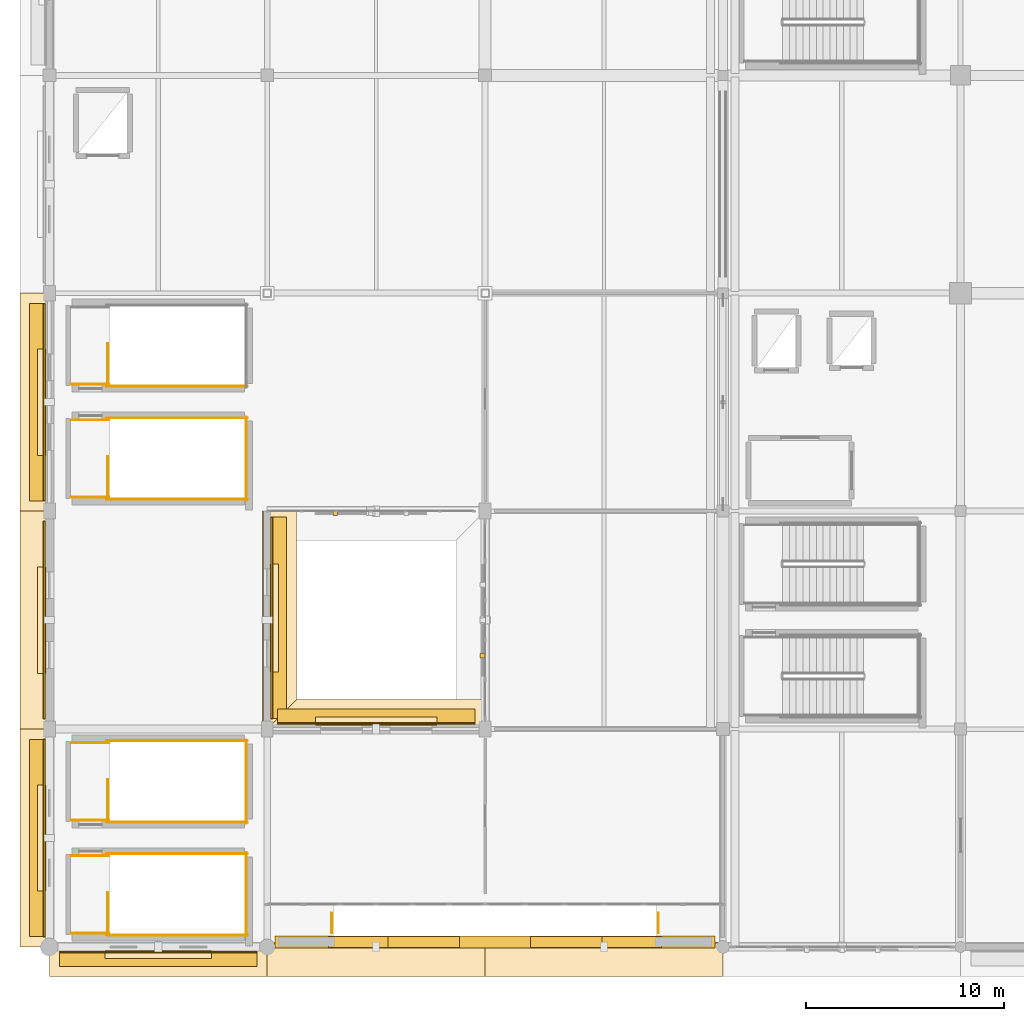
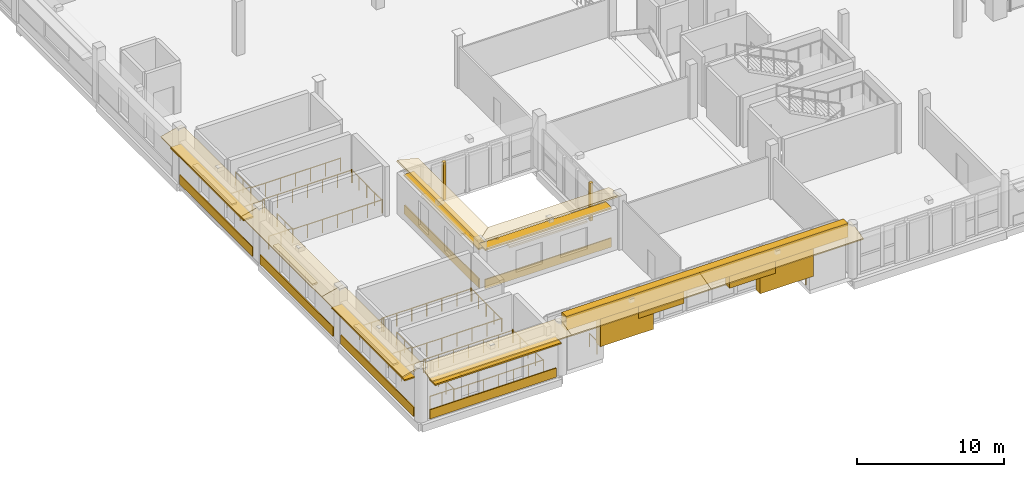
# One storey, part 96 of 118: 27 coverings, 23 railings, 5 shading devices.
"""IFC4 building model written with IfcOpenShell, lengths in metres."""

from ifc_helpers import new_model, si_unit, direction, frame, origin, origin_2d, place, context, subcontext, project, spatial, polyline, rectangle, circle, outline, extrude, material, layer, layer_set, type_object, element, save


model = new_model("IFC4")

# Units and contexts
model_context = context("Model", 3, precision=1e-05, world=origin(), true_north=direction((0.0, 1.0)))
body_context = subcontext(model_context, "Body", "Model", "MODEL_VIEW")
ifc_project = project(units=[si_unit("LENGTHUNIT", "METRE"), si_unit("AREAUNIT", "SQUARE_METRE"), si_unit("VOLUMEUNIT", "CUBIC_METRE"), si_unit("PLANEANGLEUNIT", "RADIAN"), si_unit("MASSUNIT", "GRAM", prefix="KILO")], contexts=[model_context])

# Site, building, storey
site_placement = place(None, origin())
site = spatial("IfcSite", under=ifc_project, at=site_placement, CompositionType="ELEMENT")
building_placement = place(site_placement, origin())
building = spatial("IfcBuilding", under=site, at=building_placement, Name="Luwafu Chhajja Arena", CompositionType="ELEMENT")
storey_placement = place(building_placement, frame((0.0, 0.0, 10.199951171875)))
storey = spatial("IfcBuildingStorey", under=building, at=storey_placement, Name="L02", CompositionType="ELEMENT", Elevation=10.199951171875)

# Coverings
ifc_material_1 = material(Name="Red laterite sandstone cladding", Category="masonry")
ifc_layer_1 = layer(ifc_material_1, 0.074951171875, Name="Red laterite sandstone cladding")
ifc_layer_set_1 = layer_set([ifc_layer_1], Name="Red laterite sandstone cladding")
covering_type = type_object("IfcCoveringType", Name="Dressed Red-Laterite Sandstone Cladding", PredefinedType="CLADDING", material=ifc_layer_set_1)
for number, where, z_axis, x_axis, name in (
    (1, (16.199951171875, 0.25, 1.10009765625), (0.0, 0.0, 1.0), (1.0, 0.0, 0.0), "Pishtaq Iwan Corbelled Arch Haunch W"),
    (2, (28.800048828125, 0.25, 1.10009765625), (0.0, 0.0, 1.0), (1.0, 0.0, 0.0), "Pishtaq Iwan Corbelled Arch Haunch E"),
):
    element("IfcCovering", number, at=place(storey_placement, frame(where, z_axis=z_axis, x_axis=x_axis)), inside=storey, type_object=covering_type, Name=name, PredefinedType="CLADDING", context=body_context, shape_type="SweptSolid", body=[
        extrude(rectangle(XDim=4.199951171875, YDim=0.56005859375, at=origin_2d()), origin(), (0.0, 0.0, 1.0), 2.60009765625),
    ])
for number, where, z_axis, x_axis, name in (
    (3, (18.89990234375, 0.25, 2.39990234375), (0.0, 0.0, 1.0), (1.0, 0.0, 0.0), "Pishtaq Iwan Pointed Arch Upper Haunch W"),
    (4, (26.10009765625, 0.25, 2.39990234375), (0.0, 0.0, 1.0), (1.0, 0.0, 0.0), "Pishtaq Iwan Pointed Arch Upper Haunch E"),
):
    element("IfcCovering", number, at=place(storey_placement, frame(where, z_axis=z_axis, x_axis=x_axis)), inside=storey, type_object=covering_type, Name=name, PredefinedType="CLADDING", context=body_context, shape_type="SweptSolid", body=[
        extrude(rectangle(XDim=3.60009765625, YDim=0.56005859375, at=origin_2d()), origin(), (0.0, 0.0, 1.0), 1.699951171875),
    ])
covering_1_placement = place(storey_placement, frame((22.5, 0.25, 3.425048828125), z_axis=(0.0, 0.0, 1.0), x_axis=(1.0, 0.0, 0.0)))
element("IfcCovering", 5, at=covering_1_placement, inside=storey, type_object=covering_type, Name="Pishtaq Monumental Pointed-Arch Crown Frieze", PredefinedType="CLADDING", context=body_context, shape_type="SweptSolid", body=[
    extrude(rectangle(XDim=22.199951171875, YDim=0.6201171875, at=origin_2d()), origin(), (0.0, 0.0, 1.0), 1.14990234375),
])
covering_2_placement = place(storey_placement, frame((0.0, 0.199951171875, 4.4599609375), z_axis=(0.0, -0.242502450825, 0.970150793096), x_axis=(1.0, 0.0, 0.0)))
element("IfcCovering", 6, at=covering_2_placement, inside=storey, type_object=covering_type, Name="L02 Continuous Sloped Sandstone Chhajja Eave 0123", PredefinedType="CLADDING", context=body_context, shape_type="SweptSolid", body=[
    extrude(outline(polyline([(0.0, 0.0), (11.0, 0.0), (11.0, -1.731619097341133), (0.0, -1.731619097341133), (0.0, 0.0)])), origin(), (0.0, 0.0, -1.0), 0.1298828125),
])
covering_3_placement = place(storey_placement, frame((5.5, -0.257080078125, 0.0), z_axis=(0.0, 0.0, 1.0), x_axis=(1.0, 0.0, 0.0)))
element("IfcCovering", 7, at=covering_3_placement, inside=storey, type_object=covering_type, Name="L02 Red-Laterite Sandstone Plinth Cladding 039", PredefinedType="CLADDING", context=body_context, shape_type="SweptSolid", body=[
    extrude(rectangle(XDim=9.9599609375, YDim=0.0849609375, at=origin_2d()), origin(), (0.0, 0.0, 1.0), 0.760009765625),
])
covering_4_placement = place(storey_placement, frame((5.5, -0.385009765625, 2.93017578125), z_axis=(0.0, 0.0, 1.0), x_axis=(1.0, 0.0, 0.0)))
element("IfcCovering", 8, at=covering_4_placement, inside=storey, type_object=covering_type, Name="L02 Mughal Sandstone Window Chhajja Hood 0038", PredefinedType="CLADDING", context=body_context, shape_type="SweptSolid", body=[
    extrude(rectangle(XDim=5.3701171875, YDim=0.419921875, at=origin_2d()), origin(), (0.0, 0.0, 1.0), 0.139892578125),
])
covering_5_placement = place(storey_placement, frame((0.199951171875, 0.0, 4.4599609375), z_axis=(-0.242502450825, 0.0, 0.970150793096), x_axis=(0.0, 1.0, 0.0)))
element("IfcCovering", 9, at=covering_5_placement, inside=storey, type_object=covering_type, Name="L02 Continuous Sloped Sandstone Chhajja Eave 0124", PredefinedType="CLADDING", context=body_context, shape_type="SweptSolid", body=[
    extrude(outline(polyline([(0.0, 0.0), (11.0, 0.0), (11.0, 1.731619097341133), (0.0, 1.731619097341133), (0.0, 0.0)])), origin(), (0.0, 0.0, -1.0), 0.1298828125),
])
covering_6_placement = place(storey_placement, frame((-0.257080078125, 5.5, 0.0), z_axis=(0.0, 0.0, 1.0), x_axis=(0.0, 1.0, 0.0)))
element("IfcCovering", 10, at=covering_6_placement, inside=storey, type_object=covering_type, Name="L02 Red-Laterite Sandstone Plinth Cladding 040", PredefinedType="CLADDING", context=body_context, shape_type="SweptSolid", body=[
    extrude(rectangle(XDim=9.9599609375, YDim=0.0849609375, at=origin_2d()), origin(), (0.0, 0.0, 1.0), 0.760009765625),
])
covering_7_placement = place(storey_placement, frame((-0.385009765625, 5.5, 2.93017578125), z_axis=(0.0, 0.0, 1.0), x_axis=(0.0, 1.0, 0.0)))
element("IfcCovering", 11, at=covering_7_placement, inside=storey, type_object=covering_type, Name="L02 Mughal Sandstone Window Chhajja Hood 0039", PredefinedType="CLADDING", context=body_context, shape_type="SweptSolid", body=[
    extrude(rectangle(XDim=5.3701171875, YDim=0.419921875, at=origin_2d()), origin(), (0.0, 0.0, 1.0), 0.139892578125),
])
covering_8_placement = place(storey_placement, frame((0.199951171875, 11.0, 4.4599609375), z_axis=(-0.242502450825, 0.0, 0.970150793096), x_axis=(0.0, 1.0, 0.0)))
element("IfcCovering", 12, at=covering_8_placement, inside=storey, type_object=covering_type, Name="L02 Continuous Sloped Sandstone Chhajja Eave 0125", PredefinedType="CLADDING", context=body_context, shape_type="SweptSolid", body=[
    extrude(outline(polyline([(0.0, 0.0), (11.0, 0.0), (11.0, 1.731619097341133), (0.0, 1.731619097341133), (0.0, 0.0)])), origin(), (0.0, 0.0, -1.0), 0.1298828125),
])
covering_9_placement = place(storey_placement, frame((-0.257080078125, 16.5, 0.0), z_axis=(0.0, 0.0, 1.0), x_axis=(0.0, 1.0, 0.0)))
element("IfcCovering", 13, at=covering_9_placement, inside=storey, type_object=covering_type, Name="L02 Red-Laterite Sandstone Plinth Cladding 041", PredefinedType="CLADDING", context=body_context, shape_type="SweptSolid", body=[
    extrude(rectangle(XDim=9.9599609375, YDim=0.0849609375, at=origin_2d()), origin(), (0.0, 0.0, 1.0), 0.760009765625),
])
covering_10_placement = place(storey_placement, frame((-0.385009765625, 16.5, 2.93017578125), z_axis=(0.0, 0.0, 1.0), x_axis=(0.0, 1.0, 0.0)))
element("IfcCovering", 14, at=covering_10_placement, inside=storey, type_object=covering_type, Name="L02 Mughal Sandstone Window Chhajja Hood 0040", PredefinedType="CLADDING", context=body_context, shape_type="SweptSolid", body=[
    extrude(rectangle(XDim=5.3701171875, YDim=0.419921875, at=origin_2d()), origin(), (0.0, 0.0, 1.0), 0.139892578125),
])
covering_11_placement = place(storey_placement, frame((10.800048828125, 11.0, 4.4599609375), z_axis=(0.242502450825, 0.0, 0.970150793096), x_axis=(0.0, 1.0, 0.0)))
element("IfcCovering", 15, at=covering_11_placement, inside=storey, type_object=covering_type, Name="L02 Continuous Sloped Sandstone Chhajja Eave 0126", PredefinedType="CLADDING", context=body_context, shape_type="SweptSolid", body=[
    extrude(outline(polyline([(0.0, 0.0), (11.0, 0.0), (11.0, -1.731619097341133), (0.0, -1.731619097341133), (0.0, 0.0)])), origin(), (0.0, 0.0, -1.0), 0.1298828125),
])
covering_12_placement = place(storey_placement, frame((11.23193359375, 16.610107421875, 0.0), z_axis=(0.0, 0.0, 1.0), x_axis=(0.0, 1.0, 0.0)))
element("IfcCovering", 16, at=covering_12_placement, inside=storey, type_object=covering_type, Name="L02 Red-Laterite Sandstone Plinth Cladding 042", PredefinedType="CLADDING", context=body_context, shape_type="SweptSolid", body=[
    extrude(rectangle(XDim=10.179931640625, YDim=0.0849609375, at=origin_2d()), origin(), (0.0, 0.0, 1.0), 0.760009765625),
])
covering_13_placement = place(storey_placement, frame((11.360107421875, 16.610107421875, 2.93017578125), z_axis=(0.0, 0.0, 1.0), x_axis=(0.0, 1.0, 0.0)))
element("IfcCovering", 17, at=covering_13_placement, inside=storey, type_object=covering_type, Name="L02 Mughal Sandstone Window Chhajja Hood 0041", PredefinedType="CLADDING", context=body_context, shape_type="SweptSolid", body=[
    extrude(rectangle(XDim=5.443359375, YDim=0.419921875, at=origin_2d()), origin(), (0.0, 0.0, 1.0), 0.139892578125),
])
covering_14_placement = place(storey_placement, frame((0.199951171875, 22.0, 4.4599609375), z_axis=(-0.242502450825, 0.0, 0.970150793096), x_axis=(0.0, 1.0, 0.0)))
element("IfcCovering", 18, at=covering_14_placement, inside=storey, type_object=covering_type, Name="L02 Continuous Sloped Sandstone Chhajja Eave 0127", PredefinedType="CLADDING", context=body_context, shape_type="SweptSolid", body=[
    extrude(outline(polyline([(0.0, 0.0), (11.0, 0.0), (11.0, 1.731619097341133), (0.0, 1.731619097341133), (0.0, 0.0)])), origin(), (0.0, 0.0, -1.0), 0.1298828125),
])
covering_15_placement = place(storey_placement, frame((-0.257080078125, 27.5, 0.0), z_axis=(0.0, 0.0, 1.0), x_axis=(0.0, 1.0, 0.0)))
element("IfcCovering", 19, at=covering_15_placement, inside=storey, type_object=covering_type, Name="L02 Red-Laterite Sandstone Plinth Cladding 043", PredefinedType="CLADDING", context=body_context, shape_type="SweptSolid", body=[
    extrude(rectangle(XDim=9.9599609375, YDim=0.0849609375, at=origin_2d()), origin(), (0.0, 0.0, 1.0), 0.760009765625),
])
covering_16_placement = place(storey_placement, frame((-0.385009765625, 27.5, 2.93017578125), z_axis=(0.0, 0.0, 1.0), x_axis=(0.0, 1.0, 0.0)))
element("IfcCovering", 20, at=covering_16_placement, inside=storey, type_object=covering_type, Name="L02 Mughal Sandstone Window Chhajja Hood 0042", PredefinedType="CLADDING", context=body_context, shape_type="SweptSolid", body=[
    extrude(rectangle(XDim=5.3701171875, YDim=0.419921875, at=origin_2d()), origin(), (0.0, 0.0, 1.0), 0.139892578125),
])
covering_17_placement = place(storey_placement, frame((11.0, 0.199951171875, 4.4599609375), z_axis=(0.0, -0.242502450825, 0.970150793096), x_axis=(1.0, 0.0, 0.0)))
element("IfcCovering", 21, at=covering_17_placement, inside=storey, type_object=covering_type, Name="L02 Continuous Sloped Sandstone Chhajja Eave 0138", PredefinedType="CLADDING", context=body_context, shape_type="SweptSolid", body=[
    extrude(outline(polyline([(0.0, 0.0), (11.0, 0.0), (11.0, -1.731619097341133), (0.0, -1.731619097341133), (0.0, 0.0)])), origin(), (0.0, 0.0, -1.0), 0.1298828125),
])
covering_18_placement = place(storey_placement, frame((11.0, 10.800048828125, 4.4599609375), z_axis=(0.0, 0.242502450825, 0.970150793096), x_axis=(1.0, 0.0, 0.0)))
element("IfcCovering", 22, at=covering_18_placement, inside=storey, type_object=covering_type, Name="L02 Continuous Sloped Sandstone Chhajja Eave 0139", PredefinedType="CLADDING", context=body_context, shape_type="SweptSolid", body=[
    extrude(outline(polyline([(0.0, 0.0), (11.0, 0.0), (11.0, 1.731619097341133), (0.0, 1.731619097341133), (0.0, 0.0)])), origin(), (0.0, 0.0, -1.0), 0.1298828125),
])
covering_19_placement = place(storey_placement, frame((16.5, 11.27197265625, 0.0), z_axis=(0.0, 0.0, 1.0), x_axis=(1.0, 0.0, 0.0)))
element("IfcCovering", 23, at=covering_19_placement, inside=storey, type_object=covering_type, Name="L02 Red-Laterite Sandstone Plinth Cladding 050", PredefinedType="CLADDING", context=body_context, shape_type="SweptSolid", body=[
    extrude(rectangle(XDim=9.9599609375, YDim=0.0849609375, at=origin_2d()), origin(), (0.0, 0.0, 1.0), 0.760009765625),
])
covering_20_placement = place(storey_placement, frame((16.5, 11.39990234375, 2.72998046875), z_axis=(0.0, 0.0, 1.0), x_axis=(1.0, 0.0, 0.0)))
element("IfcCovering", 24, at=covering_20_placement, inside=storey, type_object=covering_type, Name="L02 Mughal Sandstone Window Chhajja Hood 0049", PredefinedType="CLADDING", context=body_context, shape_type="SweptSolid", body=[
    extrude(rectangle(XDim=6.1201171875, YDim=0.419921875, at=origin_2d()), origin(), (0.0, 0.0, 1.0), 0.139892578125),
])
covering_21_placement = place(storey_placement, frame((14.43798828125, 21.889892578125, 0.0), z_axis=(0.0, 0.0, 1.0), x_axis=(1.0, 0.0, 0.0)))
element("IfcCovering", 25, at=covering_21_placement, inside=storey, type_object=covering_type, Name="L02 Sandstone Jali Mullion Fin 031", PredefinedType="CLADDING", context=body_context, shape_type="SweptSolid", body=[
    extrude(rectangle(XDim=0.219970703125, YDim=0.239990234375, at=origin_2d()), origin(), (0.0, 0.0, 1.0), 3.155029296875),
])
covering_22_placement = place(storey_placement, frame((22.0, 0.199951171875, 4.4599609375), z_axis=(0.0, -0.242502450825, 0.970150793096), x_axis=(1.0, 0.0, 0.0)))
element("IfcCovering", 26, at=covering_22_placement, inside=storey, type_object=covering_type, Name="L02 Continuous Sloped Sandstone Chhajja Eave 0144", PredefinedType="CLADDING", context=body_context, shape_type="SweptSolid", body=[
    extrude(outline(polyline([(0.0, 0.0), (12.0, 0.0), (12.0, -1.731619097341133), (0.0, -1.731619097341133), (0.0, 0.0)])), origin(), (0.0, 0.0, -1.0), 0.1298828125),
])
covering_23_placement = place(storey_placement, frame((21.8701171875, 14.7080078125, 0.0), z_axis=(0.0, 0.0, 1.0), x_axis=(0.0, 1.0, 0.0)))
element("IfcCovering", 27, at=covering_23_placement, inside=storey, type_object=covering_type, Name="L02 Sandstone Jali Mullion Fin 033", PredefinedType="CLADDING", context=body_context, shape_type="SweptSolid", body=[
    extrude(rectangle(XDim=0.219970703125, YDim=0.239990234375, at=origin_2d()), origin(), (0.0, 0.0, 1.0), 3.155029296875),
])

# Shading devices
ifc_material_2 = material(Name="Red laterite sandstone chhajja", Category="masonry")
ifc_layer_2 = layer(ifc_material_2, 0.1201171875, Name="Red laterite sandstone chhajja")
ifc_layer_set_2 = layer_set([ifc_layer_2], Name="Red laterite sandstone chhajja")
shading_device_type = type_object("IfcShadingDeviceType", Name="Sloped Red-Sandstone Chhajja Eave", PredefinedType="USERDEFINED", material=ifc_layer_set_2)
for number, where, z_axis, x_axis, name in (
    (28, (5.5, -0.5849609375, 3.18505859375), (0.0, 0.0, 1.0), (1.0, 0.0, 0.0), "L02 Sloped Red-Sandstone Chhajja Eave 038"),
    (29, (-0.5849609375, 5.5, 3.18505859375), (0.0, 0.0, 1.0), (0.0, 1.0, 0.0), "L02 Sloped Red-Sandstone Chhajja Eave 039"),
):
    element("IfcShadingDevice", number, at=place(storey_placement, frame(where, z_axis=z_axis, x_axis=x_axis)), inside=storey, type_object=shading_device_type, Name=name, ObjectType="CHHAJJA", PredefinedType="USERDEFINED", context=body_context, shape_type="SweptSolid", body=[
        extrude(rectangle(XDim=9.9599609375, YDim=0.820068359375, at=origin_2d()), origin(), (0.0, 0.0, 1.0), 0.1201171875),
    ])
shading_device_placement = place(storey_placement, frame((11.56005859375, 16.610107421875, 3.18505859375), z_axis=(0.0, 0.0, 1.0), x_axis=(0.0, 1.0, 0.0)))
element("IfcShadingDevice", 30, at=shading_device_placement, inside=storey, type_object=shading_device_type, Name="L02 Sloped Red-Sandstone Chhajja Eave 040", ObjectType="CHHAJJA", PredefinedType="USERDEFINED", context=body_context, shape_type="SweptSolid", body=[
    extrude(rectangle(XDim=10.179931640625, YDim=0.820068359375, at=origin_2d()), origin(), (0.0, 0.0, 1.0), 0.1201171875),
])
for number, where, z_axis, x_axis, name in (
    (31, (-0.5849609375, 27.5, 3.18505859375), (0.0, 0.0, 1.0), (0.0, 1.0, 0.0), "L02 Sloped Red-Sandstone Chhajja Eave 041"),
    (32, (16.5, 11.60009765625, 3.18505859375), (0.0, 0.0, 1.0), (1.0, 0.0, 0.0), "L02 Sloped Red-Sandstone Chhajja Eave 047"),
):
    element("IfcShadingDevice", number, at=place(storey_placement, frame(where, z_axis=z_axis, x_axis=x_axis)), inside=storey, type_object=shading_device_type, Name=name, ObjectType="CHHAJJA", PredefinedType="USERDEFINED", context=body_context, shape_type="SweptSolid", body=[
        extrude(rectangle(XDim=9.9599609375, YDim=0.820068359375, at=origin_2d()), origin(), (0.0, 0.0, 1.0), 0.1201171875),
    ])

# Railings
ifc_material_3 = material(Name="Stainless steel balustrade", Category="steel")
railing_type = type_object("IfcRailingType", Name="Stair and Terrace Guard Balustrade 1100", PredefinedType="BALUSTRADE", material=ifc_material_3)
railing_1_placement = place(storey_placement, frame((2.949951171875, 22.64990234375, 0.0)))
element("IfcRailing", 33, at=railing_1_placement, inside=storey, type_object=railing_type, Name="L02 ST-13 top well guard 1", PredefinedType="BALUSTRADE", context=body_context, shape_type="SweptSolid", body=[
    extrude(circle(Radius=0.02392578125, at=origin_2d()), frame((0.0, 0.0, 1.076171875), z_axis=(0.0, 1.0, 0.0), x_axis=(-1.0, 0.0, 0.0)), (0.0, 0.0, 1.0), 2.10009765625),
    extrude(circle(Radius=0.02099609375, at=origin_2d()), origin(), (0.0, 0.0, 1.0), 1.052001953125),
    extrude(circle(Radius=0.02099609375, at=origin_2d()), frame((0.0, 1.050048828125, 0.0)), (0.0, 0.0, 1.0), 1.052001953125),
    extrude(circle(Radius=0.02099609375, at=origin_2d()), frame((0.0, 2.10009765625, 0.0)), (0.0, 0.0, 1.0), 1.052001953125),
])
for number, where, name in (
    (34, (2.89990234375, 22.60009765625, 0.0), "L02 ST-13 top well guard 2"),
    (35, (2.89990234375, 26.699951171875, 0.0), "L02 ST-13 top well guard 3"),
):
    element("IfcRailing", number, at=place(storey_placement, frame(where)), inside=storey, type_object=railing_type, Name=name, PredefinedType="BALUSTRADE", context=body_context, shape_type="SweptSolid", body=[
        extrude(circle(Radius=0.02392578125, at=origin_2d()), frame((0.0, 0.0, 1.076171875), z_axis=(1.0, 0.0, 0.0), x_axis=(0.0, 1.0, 0.0)), (0.0, 0.0, 1.0), 7.10009765625),
        extrude(circle(Radius=0.02099609375, at=origin_2d()), origin(), (0.0, 0.0, 1.0), 1.052001953125),
        extrude(circle(Radius=0.02099609375, at=origin_2d()), frame((1.183349609375, 0.0, 0.0)), (0.0, 0.0, 1.0), 1.052001953125),
        extrude(circle(Radius=0.02099609375, at=origin_2d()), frame((2.36669921875, 0.0, 0.0)), (0.0, 0.0, 1.0), 1.052001953125),
        extrude(circle(Radius=0.02099609375, at=origin_2d()), frame((3.550048828125, 0.0, 0.0)), (0.0, 0.0, 1.0), 1.052001953125),
        extrude(circle(Radius=0.02099609375, at=origin_2d()), frame((4.7333984375, 0.0, 0.0)), (0.0, 0.0, 1.0), 1.052001953125),
        extrude(circle(Radius=0.02099609375, at=origin_2d()), frame((5.916748046875, 0.0, 0.0)), (0.0, 0.0, 1.0), 1.052001953125),
        extrude(circle(Radius=0.02099609375, at=origin_2d()), frame((7.10009765625, 0.0, 0.0)), (0.0, 0.0, 1.0), 1.052001953125),
    ])
railing_2_placement = place(storey_placement, frame((9.949951171875, 22.550048828125, 0.0)))
element("IfcRailing", 36, at=railing_2_placement, inside=storey, type_object=railing_type, Name="L02 ST-13 top well guard 4", PredefinedType="BALUSTRADE", context=body_context, shape_type="SweptSolid", body=[
    extrude(circle(Radius=0.02392578125, at=origin_2d()), frame((0.0, 0.0, 1.076171875), z_axis=(0.0, 1.0, 0.0), x_axis=(-1.0, 0.0, 0.0)), (0.0, 0.0, 1.0), 4.199951171875),
    extrude(circle(Radius=0.02099609375, at=origin_2d()), origin(), (0.0, 0.0, 1.0), 1.052001953125),
    extrude(circle(Radius=0.02099609375, at=origin_2d()), frame((0.0, 1.050048828125, 0.0)), (0.0, 0.0, 1.0), 1.052001953125),
    extrude(circle(Radius=0.02099609375, at=origin_2d()), frame((0.0, 2.10009765625, 0.0)), (0.0, 0.0, 1.0), 1.052001953125),
    extrude(circle(Radius=0.02099609375, at=origin_2d()), frame((0.0, 3.14990234375, 0.0)), (0.0, 0.0, 1.0), 1.052001953125),
    extrude(circle(Radius=0.02099609375, at=origin_2d()), frame((0.0, 4.199951171875, 0.0)), (0.0, 0.0, 1.0), 1.052001953125),
])
for number, where, name in (
    (37, (1.10009765625, 22.699951171875, 0.0), "L02 ST-13 top well guard 5"),
    (38, (1.10009765625, 26.60009765625, 0.0), "L02 ST-13 top well guard 6"),
):
    element("IfcRailing", number, at=place(storey_placement, frame(where)), inside=storey, type_object=railing_type, Name=name, PredefinedType="BALUSTRADE", context=body_context, shape_type="SweptSolid", body=[
        extrude(circle(Radius=0.02392578125, at=origin_2d()), frame((0.0, 0.0, 1.076171875), z_axis=(1.0, 0.0, 0.0), x_axis=(0.0, 1.0, 0.0)), (0.0, 0.0, 1.0), 1.89990234375),
        extrude(circle(Radius=0.02099609375, at=origin_2d()), origin(), (0.0, 0.0, 1.0), 1.052001953125),
        extrude(circle(Radius=0.02099609375, at=origin_2d()), frame((0.949951171875, 0.0, 0.0)), (0.0, 0.0, 1.0), 1.052001953125),
        extrude(circle(Radius=0.02099609375, at=origin_2d()), frame((1.89990234375, 0.0, 0.0)), (0.0, 0.0, 1.0), 1.052001953125),
    ])
railing_3_placement = place(storey_placement, frame((2.949951171875, 28.35009765625, 0.0)))
element("IfcRailing", 39, at=railing_3_placement, inside=storey, type_object=railing_type, Name="L02 ST-14 top well guard 1", PredefinedType="BALUSTRADE", context=body_context, shape_type="SweptSolid", body=[
    extrude(circle(Radius=0.02392578125, at=origin_2d()), frame((0.0, 0.0, 1.076171875), z_axis=(0.0, 1.0, 0.0), x_axis=(-1.0, 0.0, 0.0)), (0.0, 0.0, 1.0), 2.099853515625),
    extrude(circle(Radius=0.02099609375, at=origin_2d()), origin(), (0.0, 0.0, 1.0), 1.052001953125),
    extrude(circle(Radius=0.02099609375, at=origin_2d()), frame((0.0, 1.0498046875, 0.0)), (0.0, 0.0, 1.0), 1.052001953125),
    extrude(circle(Radius=0.02099609375, at=origin_2d()), frame((0.0, 2.099853515625, 0.0)), (0.0, 0.0, 1.0), 1.052001953125),
])
railing_4_placement = place(storey_placement, frame((2.89990234375, 28.300048828125, 0.0)))
element("IfcRailing", 40, at=railing_4_placement, inside=storey, type_object=railing_type, Name="L02 ST-14 top well guard 2", PredefinedType="BALUSTRADE", context=body_context, shape_type="SweptSolid", body=[
    extrude(circle(Radius=0.02392578125, at=origin_2d()), frame((0.0, 0.0, 1.076171875), z_axis=(1.0, 0.0, 0.0), x_axis=(0.0, 1.0, 0.0)), (0.0, 0.0, 1.0), 7.10009765625),
    extrude(circle(Radius=0.02099609375, at=origin_2d()), origin(), (0.0, 0.0, 1.0), 1.052001953125),
    extrude(circle(Radius=0.02099609375, at=origin_2d()), frame((1.183349609375, 0.0, 0.0)), (0.0, 0.0, 1.0), 1.052001953125),
    extrude(circle(Radius=0.02099609375, at=origin_2d()), frame((2.36669921875, 0.0, 0.0)), (0.0, 0.0, 1.0), 1.052001953125),
    extrude(circle(Radius=0.02099609375, at=origin_2d()), frame((3.550048828125, 0.0, 0.0)), (0.0, 0.0, 1.0), 1.052001953125),
    extrude(circle(Radius=0.02099609375, at=origin_2d()), frame((4.7333984375, 0.0, 0.0)), (0.0, 0.0, 1.0), 1.052001953125),
    extrude(circle(Radius=0.02099609375, at=origin_2d()), frame((5.916748046875, 0.0, 0.0)), (0.0, 0.0, 1.0), 1.052001953125),
    extrude(circle(Radius=0.02099609375, at=origin_2d()), frame((7.10009765625, 0.0, 0.0)), (0.0, 0.0, 1.0), 1.052001953125),
])
railing_5_placement = place(storey_placement, frame((1.10009765625, 28.39990234375, 0.0)))
element("IfcRailing", 41, at=railing_5_placement, inside=storey, type_object=railing_type, Name="L02 ST-14 top well guard 5", PredefinedType="BALUSTRADE", context=body_context, shape_type="SweptSolid", body=[
    extrude(circle(Radius=0.02392578125, at=origin_2d()), frame((0.0, 0.0, 1.076171875), z_axis=(1.0, 0.0, 0.0), x_axis=(0.0, 1.0, 0.0)), (0.0, 0.0, 1.0), 1.89990234375),
    extrude(circle(Radius=0.02099609375, at=origin_2d()), origin(), (0.0, 0.0, 1.0), 1.052001953125),
    extrude(circle(Radius=0.02099609375, at=origin_2d()), frame((0.949951171875, 0.0, 0.0)), (0.0, 0.0, 1.0), 1.052001953125),
    extrude(circle(Radius=0.02099609375, at=origin_2d()), frame((1.89990234375, 0.0, 0.0)), (0.0, 0.0, 1.0), 1.052001953125),
])
railing_6_placement = place(storey_placement, frame((2.949951171875, 0.64990234375, 0.0)))
element("IfcRailing", 42, at=railing_6_placement, inside=storey, type_object=railing_type, Name="L02 ST-17 top well guard 1", PredefinedType="BALUSTRADE", context=body_context, shape_type="SweptSolid", body=[
    extrude(circle(Radius=0.02392578125, at=origin_2d()), frame((0.0, 0.0, 1.076171875), z_axis=(0.0, 1.0, 0.0), x_axis=(-1.0, 0.0, 0.0)), (0.0, 0.0, 1.0), 2.10009765625),
    extrude(circle(Radius=0.02099609375, at=origin_2d()), origin(), (0.0, 0.0, 1.0), 1.052001953125),
    extrude(circle(Radius=0.02099609375, at=origin_2d()), frame((0.0, 1.050048828125, 0.0)), (0.0, 0.0, 1.0), 1.052001953125),
    extrude(circle(Radius=0.02099609375, at=origin_2d()), frame((0.0, 2.10009765625, 0.0)), (0.0, 0.0, 1.0), 1.052001953125),
])
for number, where, name in (
    (43, (2.89990234375, 0.60009765625, 0.0), "L02 ST-17 top well guard 2"),
    (44, (2.89990234375, 4.699951171875, 0.0), "L02 ST-17 top well guard 3"),
):
    element("IfcRailing", number, at=place(storey_placement, frame(where)), inside=storey, type_object=railing_type, Name=name, PredefinedType="BALUSTRADE", context=body_context, shape_type="SweptSolid", body=[
        extrude(circle(Radius=0.02392578125, at=origin_2d()), frame((0.0, 0.0, 1.076171875), z_axis=(1.0, 0.0, 0.0), x_axis=(0.0, 1.0, 0.0)), (0.0, 0.0, 1.0), 7.10009765625),
        extrude(circle(Radius=0.02099609375, at=origin_2d()), origin(), (0.0, 0.0, 1.0), 1.052001953125),
        extrude(circle(Radius=0.02099609375, at=origin_2d()), frame((1.183349609375, 0.0, 0.0)), (0.0, 0.0, 1.0), 1.052001953125),
        extrude(circle(Radius=0.02099609375, at=origin_2d()), frame((2.36669921875, 0.0, 0.0)), (0.0, 0.0, 1.0), 1.052001953125),
        extrude(circle(Radius=0.02099609375, at=origin_2d()), frame((3.550048828125, 0.0, 0.0)), (0.0, 0.0, 1.0), 1.052001953125),
        extrude(circle(Radius=0.02099609375, at=origin_2d()), frame((4.7333984375, 0.0, 0.0)), (0.0, 0.0, 1.0), 1.052001953125),
        extrude(circle(Radius=0.02099609375, at=origin_2d()), frame((5.916748046875, 0.0, 0.0)), (0.0, 0.0, 1.0), 1.052001953125),
        extrude(circle(Radius=0.02099609375, at=origin_2d()), frame((7.10009765625, 0.0, 0.0)), (0.0, 0.0, 1.0), 1.052001953125),
    ])
railing_7_placement = place(storey_placement, frame((9.949951171875, 0.550048828125, 0.0)))
element("IfcRailing", 45, at=railing_7_placement, inside=storey, type_object=railing_type, Name="L02 ST-17 top well guard 4", PredefinedType="BALUSTRADE", context=body_context, shape_type="SweptSolid", body=[
    extrude(circle(Radius=0.02392578125, at=origin_2d()), frame((0.0, 0.0, 1.076171875), z_axis=(0.0, 1.0, 0.0), x_axis=(-1.0, 0.0, 0.0)), (0.0, 0.0, 1.0), 4.199951171875),
    extrude(circle(Radius=0.02099609375, at=origin_2d()), origin(), (0.0, 0.0, 1.0), 1.052001953125),
    extrude(circle(Radius=0.02099609375, at=origin_2d()), frame((0.0, 1.050048828125, 0.0)), (0.0, 0.0, 1.0), 1.052001953125),
    extrude(circle(Radius=0.02099609375, at=origin_2d()), frame((0.0, 2.10009765625, 0.0)), (0.0, 0.0, 1.0), 1.052001953125),
    extrude(circle(Radius=0.02099609375, at=origin_2d()), frame((0.0, 3.14990234375, 0.0)), (0.0, 0.0, 1.0), 1.052001953125),
    extrude(circle(Radius=0.02099609375, at=origin_2d()), frame((0.0, 4.199951171875, 0.0)), (0.0, 0.0, 1.0), 1.052001953125),
])
for number, where, name in (
    (46, (1.10009765625, 0.699951171875, 0.0), "L02 ST-17 top well guard 5"),
    (47, (1.10009765625, 4.60009765625, 0.0), "L02 ST-17 top well guard 6"),
):
    element("IfcRailing", number, at=place(storey_placement, frame(where)), inside=storey, type_object=railing_type, Name=name, PredefinedType="BALUSTRADE", context=body_context, shape_type="SweptSolid", body=[
        extrude(circle(Radius=0.02392578125, at=origin_2d()), frame((0.0, 0.0, 1.076171875), z_axis=(1.0, 0.0, 0.0), x_axis=(0.0, 1.0, 0.0)), (0.0, 0.0, 1.0), 1.89990234375),
        extrude(circle(Radius=0.02099609375, at=origin_2d()), origin(), (0.0, 0.0, 1.0), 1.052001953125),
        extrude(circle(Radius=0.02099609375, at=origin_2d()), frame((0.949951171875, 0.0, 0.0)), (0.0, 0.0, 1.0), 1.052001953125),
        extrude(circle(Radius=0.02099609375, at=origin_2d()), frame((1.89990234375, 0.0, 0.0)), (0.0, 0.0, 1.0), 1.052001953125),
    ])
railing_8_placement = place(storey_placement, frame((2.949951171875, 6.35009765625, 0.0)))
element("IfcRailing", 48, at=railing_8_placement, inside=storey, type_object=railing_type, Name="L02 ST-18 top well guard 1", PredefinedType="BALUSTRADE", context=body_context, shape_type="SweptSolid", body=[
    extrude(circle(Radius=0.02392578125, at=origin_2d()), frame((0.0, 0.0, 1.076171875), z_axis=(0.0, 1.0, 0.0), x_axis=(-1.0, 0.0, 0.0)), (0.0, 0.0, 1.0), 2.099853515625),
    extrude(circle(Radius=0.02099609375, at=origin_2d()), origin(), (0.0, 0.0, 1.0), 1.052001953125),
    extrude(circle(Radius=0.02099609375, at=origin_2d()), frame((0.0, 1.0498046875, 0.0)), (0.0, 0.0, 1.0), 1.052001953125),
    extrude(circle(Radius=0.02099609375, at=origin_2d()), frame((0.0, 2.099853515625, 0.0)), (0.0, 0.0, 1.0), 1.052001953125),
])
for number, where, name in (
    (49, (2.89990234375, 6.300048828125, 0.0), "L02 ST-18 top well guard 2"),
    (50, (2.89990234375, 10.39990234375, 0.0), "L02 ST-18 top well guard 3"),
):
    element("IfcRailing", number, at=place(storey_placement, frame(where)), inside=storey, type_object=railing_type, Name=name, PredefinedType="BALUSTRADE", context=body_context, shape_type="SweptSolid", body=[
        extrude(circle(Radius=0.02392578125, at=origin_2d()), frame((0.0, 0.0, 1.076171875), z_axis=(1.0, 0.0, 0.0), x_axis=(0.0, 1.0, 0.0)), (0.0, 0.0, 1.0), 7.10009765625),
        extrude(circle(Radius=0.02099609375, at=origin_2d()), origin(), (0.0, 0.0, 1.0), 1.052001953125),
        extrude(circle(Radius=0.02099609375, at=origin_2d()), frame((1.183349609375, 0.0, 0.0)), (0.0, 0.0, 1.0), 1.052001953125),
        extrude(circle(Radius=0.02099609375, at=origin_2d()), frame((2.36669921875, 0.0, 0.0)), (0.0, 0.0, 1.0), 1.052001953125),
        extrude(circle(Radius=0.02099609375, at=origin_2d()), frame((3.550048828125, 0.0, 0.0)), (0.0, 0.0, 1.0), 1.052001953125),
        extrude(circle(Radius=0.02099609375, at=origin_2d()), frame((4.7333984375, 0.0, 0.0)), (0.0, 0.0, 1.0), 1.052001953125),
        extrude(circle(Radius=0.02099609375, at=origin_2d()), frame((5.916748046875, 0.0, 0.0)), (0.0, 0.0, 1.0), 1.052001953125),
        extrude(circle(Radius=0.02099609375, at=origin_2d()), frame((7.10009765625, 0.0, 0.0)), (0.0, 0.0, 1.0), 1.052001953125),
    ])
railing_9_placement = place(storey_placement, frame((9.949951171875, 6.25, 0.0)))
element("IfcRailing", 51, at=railing_9_placement, inside=storey, type_object=railing_type, Name="L02 ST-18 top well guard 4", PredefinedType="BALUSTRADE", context=body_context, shape_type="SweptSolid", body=[
    extrude(circle(Radius=0.02392578125, at=origin_2d()), frame((0.0, 0.0, 1.076171875), z_axis=(0.0, 1.0, 0.0), x_axis=(-1.0, 0.0, 0.0)), (0.0, 0.0, 1.0), 4.199951171875),
    extrude(circle(Radius=0.02099609375, at=origin_2d()), origin(), (0.0, 0.0, 1.0), 1.052001953125),
    extrude(circle(Radius=0.02099609375, at=origin_2d()), frame((0.0, 1.050048828125, 0.0)), (0.0, 0.0, 1.0), 1.052001953125),
    extrude(circle(Radius=0.02099609375, at=origin_2d()), frame((0.0, 2.10009765625, 0.0)), (0.0, 0.0, 1.0), 1.052001953125),
    extrude(circle(Radius=0.02099609375, at=origin_2d()), frame((0.0, 3.14990234375, 0.0)), (0.0, 0.0, 1.0), 1.052001953125),
    extrude(circle(Radius=0.02099609375, at=origin_2d()), frame((0.0, 4.199951171875, 0.0)), (0.0, 0.0, 1.0), 1.052001953125),
])
for number, where, name in (
    (52, (1.10009765625, 6.39990234375, 0.0), "L02 ST-18 top well guard 5"),
    (53, (1.10009765625, 10.300048828125, 0.0), "L02 ST-18 top well guard 6"),
):
    element("IfcRailing", number, at=place(storey_placement, frame(where)), inside=storey, type_object=railing_type, Name=name, PredefinedType="BALUSTRADE", context=body_context, shape_type="SweptSolid", body=[
        extrude(circle(Radius=0.02392578125, at=origin_2d()), frame((0.0, 0.0, 1.076171875), z_axis=(1.0, 0.0, 0.0), x_axis=(0.0, 1.0, 0.0)), (0.0, 0.0, 1.0), 1.89990234375),
        extrude(circle(Radius=0.02099609375, at=origin_2d()), origin(), (0.0, 0.0, 1.0), 1.052001953125),
        extrude(circle(Radius=0.02099609375, at=origin_2d()), frame((0.949951171875, 0.0, 0.0)), (0.0, 0.0, 1.0), 1.052001953125),
        extrude(circle(Radius=0.02099609375, at=origin_2d()), frame((1.89990234375, 0.0, 0.0)), (0.0, 0.0, 1.0), 1.052001953125),
    ])
railing_10_placement = place(storey_placement, frame((30.75, 0.699951171875, 0.0)))
element("IfcRailing", 54, at=railing_10_placement, inside=storey, type_object=railing_type, Name="L02 Outer Slab Edge Guard 009", PredefinedType="BALUSTRADE", context=body_context, shape_type="SweptSolid", body=[
    extrude(circle(Radius=0.02392578125, at=origin_2d()), frame((0.0, 0.0, 1.09619140625), z_axis=(0.0, 1.0, 0.0), x_axis=(-1.0, 0.0, 0.0)), (0.0, 0.0, 1.0), 1.0),
    extrude(circle(Radius=0.02099609375, at=origin_2d()), origin(), (0.0, 0.0, 1.0), 1.072021484375),
    extrude(circle(Radius=0.02099609375, at=origin_2d()), frame((0.0, 1.0, 0.0)), (0.0, 0.0, 1.0), 1.072021484375),
])
railing_11_placement = place(storey_placement, frame((14.25, 1.699951171875, 0.0)))
element("IfcRailing", 55, at=railing_11_placement, inside=storey, type_object=railing_type, Name="L02 Outer Slab Edge Guard 010", PredefinedType="BALUSTRADE", context=body_context, shape_type="SweptSolid", body=[
    extrude(circle(Radius=0.02392578125, at=origin_2d()), frame((0.0, 0.0, 1.09619140625), z_axis=(0.0, -1.0, 0.0), x_axis=(1.0, 0.0, 0.0)), (0.0, 0.0, 1.0), 1.0),
    extrude(circle(Radius=0.02099609375, at=origin_2d()), origin(), (0.0, 0.0, 1.0), 1.072021484375),
    extrude(circle(Radius=0.02099609375, at=origin_2d()), frame((0.0, -1.0, 0.0)), (0.0, 0.0, 1.0), 1.072021484375),
])

save(model, "model.ifc")
